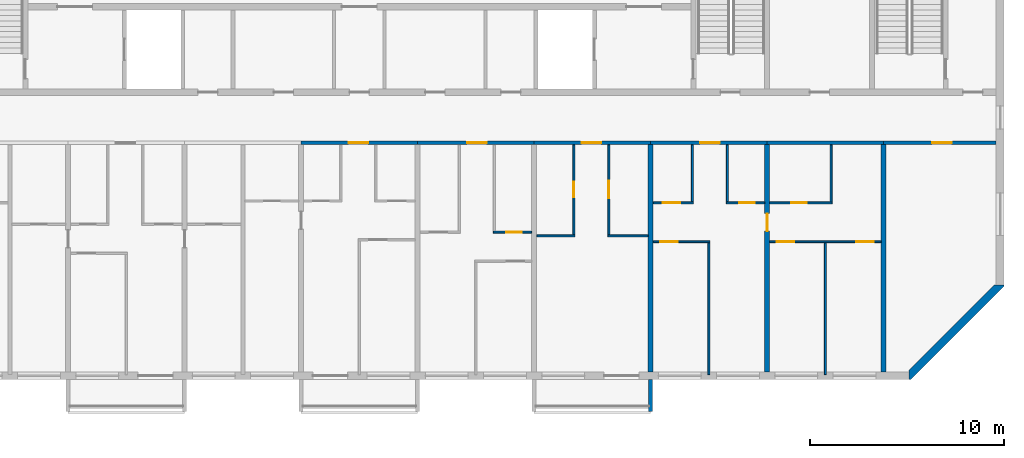
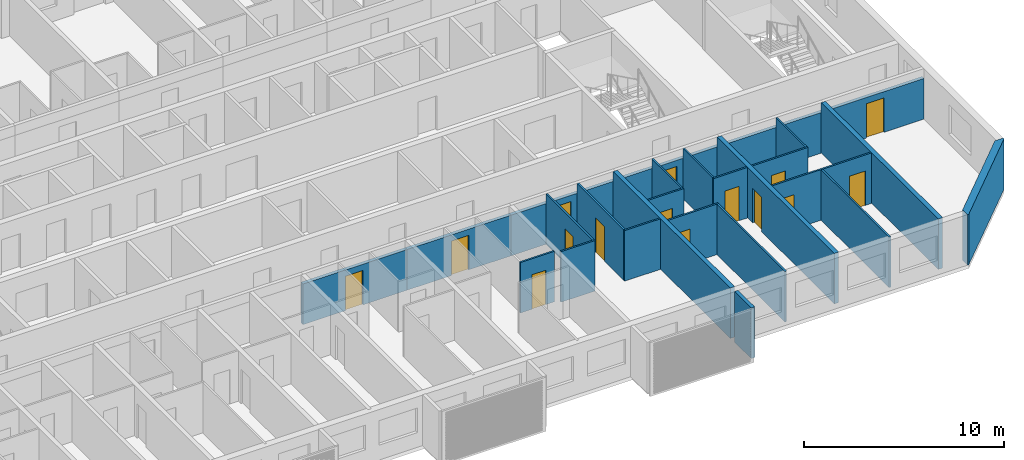
# One storey, part 5 of 29: 26 walls, 15 doors, 15 openings.
"""IFC4 building model written with IfcOpenShell, lengths in metres."""

from ifc_helpers import new_model, si_unit, direction, frame, frame_2d, origin, place, context, subcontext, project, spatial, polyline, rectangle, outline, extrude, source, transform, mapped, material, layer, layer_set, type_object, element, fill, save


model = new_model("IFC4")

# Units and contexts
model_context = context("Model", 3, precision=1e-05, world=origin(), true_north=direction((0.0, 1.0)))
body_context = subcontext(model_context, "Body", "Model", "MODEL_VIEW")
ifc_project = project(units=[si_unit("LENGTHUNIT", "METRE"), si_unit("AREAUNIT", "SQUARE_METRE"), si_unit("VOLUMEUNIT", "CUBIC_METRE"), si_unit("PLANEANGLEUNIT", "RADIAN"), si_unit("MASSUNIT", "GRAM", prefix="KILO")], contexts=[model_context])

# Site, building, storey
site_placement = place(None, origin())
site = spatial("IfcSite", under=ifc_project, at=site_placement, CompositionType="ELEMENT")
building_placement = place(site_placement, origin())
building = spatial("IfcBuilding", under=site, at=building_placement, Name="Poui Terraces", CompositionType="ELEMENT")
storey_placement = place(building_placement, frame((0.0, 0.0, 231.300048828125)))
storey = spatial("IfcBuildingStorey", under=building, at=storey_placement, Name="L64", CompositionType="ELEMENT", Elevation=231.300048828125)

# Wall, opening, door
ifc_material_1 = material(Name="Concrete 50 MPa", Category="concrete")
ifc_layer_1 = layer(ifc_material_1, 0.199951171875)
ifc_layer_set_1 = layer_set([ifc_layer_1], Name="Concrete 50 MPa")
wall_type_1 = type_object("IfcWallType", Name="CORRIDOR WALL 200 50MPa", PredefinedType="SHEAR", material=ifc_layer_set_1)
wall_1_placement = place(storey_placement, frame((48.0, 12.0, 0.0), z_axis=(0.0, 0.0, 1.0), x_axis=(1.0, 0.0, 0.0)))
wall_1 = element("IfcWall", 1, at=wall_1_placement, inside=storey, type_object=wall_type_1, Name="CORRIDOR WALL LINE B BAY 6", PredefinedType="SHEAR", context=body_context, shape_type="SweptSolid", body=[
    extrude(rectangle(XDim=6.0, YDim=0.199951171875, at=frame_2d((3.0, 0.0))), origin(), (0.0, 0.0, 1.0), 2.47998046875),
])
opening_1_placement = place(wall_1_placement, frame((2.449951171875, 0.0, 0.0)))
opening_1 = element("IfcOpeningElement", 2, at=opening_1_placement, cuts=wall_1, Name="Opening FD30S", PredefinedType="OPENING", context=body_context, shape_type="SweptSolid", body=[
    extrude(rectangle(XDim=1.0, YDim=2.10009765625, at=frame_2d((0.5, 1.050048828125))), frame((0.0, 0.10986328125, 0.0), z_axis=(0.0, -1.0, 0.0), x_axis=(1.0, 0.0, 0.0)), (0.0, 0.0, 1.0), 0.219970703125),
])
ifc_material_2 = material(Name="Steel fire door", Category="steel")
door_type_1 = type_object("IfcDoorType", Name="FLAT ENTRANCE DOOR 1000 X 2100", OperationType="NOTDEFINED", PredefinedType="DOOR", material=ifc_material_2)
door_1_placement = place(opening_1_placement, frame((1.0, 0.0, 0.0), z_axis=(0.0, 0.0, 1.0), x_axis=(-1.0, 0.0, 0.0)))
door_1 = element("IfcDoor", 3, at=door_1_placement, inside=storey, type_object=door_type_1, Name="FLAT ENTRANCE DOOR 081", OperationType="SINGLE_SWING_RIGHT", OverallHeight=2.10009765625, OverallWidth=1.0, PredefinedType="DOOR", context=body_context, shape_type="SweptSolid", body=[
    extrude(rectangle(XDim=1.0, YDim=2.10009765625, at=frame_2d((0.5, 1.050048828125))), frame((0.0, 0.02490234375, 0.0), z_axis=(0.0, -1.0, 0.0), x_axis=(1.0, 0.0, 0.0)), (0.0, 0.0, 1.0), 0.050048828125),
])
fill(opening_1, door_1)

wall_2_placement = place(storey_placement, frame((54.0, 12.0, 0.0), z_axis=(0.0, 0.0, 1.0), x_axis=(1.0, 0.0, 0.0)))
wall_2 = element("IfcWall", 4, at=wall_2_placement, inside=storey, type_object=wall_type_1, Name="CORRIDOR WALL LINE B BAY 7", PredefinedType="SHEAR", context=body_context, shape_type="SweptSolid", body=[
    extrude(rectangle(XDim=6.0, YDim=0.199951171875, at=frame_2d((3.0, 0.0))), origin(), (0.0, 0.0, 1.0), 2.47998046875),
])
opening_2_placement = place(wall_2_placement, frame((2.550048828125, 0.0, 0.0)))
opening_2 = element("IfcOpeningElement", 5, at=opening_2_placement, cuts=wall_2, Name="Opening FD30S", PredefinedType="OPENING", context=body_context, shape_type="SweptSolid", body=[
    extrude(rectangle(XDim=1.0, YDim=2.10009765625, at=frame_2d((0.5, 1.050048828125))), frame((0.0, 0.10986328125, 0.0), z_axis=(0.0, -1.0, 0.0), x_axis=(1.0, 0.0, 0.0)), (0.0, 0.0, 1.0), 0.219970703125),
])
door_2_placement = place(opening_2_placement, frame((1.0, 0.0, 0.0), z_axis=(0.0, 0.0, 1.0), x_axis=(-1.0, 0.0, 0.0)))
door_2 = element("IfcDoor", 6, at=door_2_placement, inside=storey, type_object=door_type_1, Name="FLAT ENTRANCE DOOR 085", OperationType="SINGLE_SWING_LEFT", OverallHeight=2.10009765625, OverallWidth=1.0, PredefinedType="DOOR", context=body_context, shape_type="SweptSolid", body=[
    extrude(rectangle(XDim=1.0, YDim=2.10009765625, at=frame_2d((0.5, 1.050048828125))), frame((0.0, 0.02490234375, 0.0), z_axis=(0.0, -1.0, 0.0), x_axis=(1.0, 0.0, 0.0)), (0.0, 0.0, 1.0), 0.050048828125),
])
fill(opening_2, door_2)

wall_3_placement = place(storey_placement, frame((60.0, 12.0, 0.0), z_axis=(0.0, 0.0, 1.0), x_axis=(1.0, 0.0, 0.0)))
wall_3 = element("IfcWall", 7, at=wall_3_placement, inside=storey, type_object=wall_type_1, Name="CORRIDOR WALL LINE B BAY 8", PredefinedType="SHEAR", context=body_context, shape_type="SweptSolid", body=[
    extrude(rectangle(XDim=6.0, YDim=0.199951171875, at=frame_2d((3.0, 0.0))), origin(), (0.0, 0.0, 1.0), 2.47998046875),
])
opening_3_placement = place(wall_3_placement, frame((2.449951171875, 0.0, 0.0)))
opening_3 = element("IfcOpeningElement", 8, at=opening_3_placement, cuts=wall_3, Name="Opening FD30S", PredefinedType="OPENING", context=body_context, shape_type="SweptSolid", body=[
    extrude(rectangle(XDim=1.0, YDim=2.10009765625, at=frame_2d((0.5, 1.050048828125))), frame((0.0, 0.10986328125, 0.0), z_axis=(0.0, -1.0, 0.0), x_axis=(1.0, 0.0, 0.0)), (0.0, 0.0, 1.0), 0.219970703125),
])
door_3_placement = place(opening_3_placement, frame((1.0, 0.0, 0.0), z_axis=(0.0, 0.0, 1.0), x_axis=(-1.0, 0.0, 0.0)))
door_3 = element("IfcDoor", 9, at=door_3_placement, inside=storey, type_object=door_type_1, Name="FLAT ENTRANCE DOOR 089", OperationType="SINGLE_SWING_RIGHT", OverallHeight=2.10009765625, OverallWidth=1.0, PredefinedType="DOOR", context=body_context, shape_type="SweptSolid", body=[
    extrude(rectangle(XDim=1.0, YDim=2.10009765625, at=frame_2d((0.5, 1.050048828125))), frame((0.0, 0.02490234375, 0.0), z_axis=(0.0, -1.0, 0.0), x_axis=(1.0, 0.0, 0.0)), (0.0, 0.0, 1.0), 0.050048828125),
])
fill(opening_3, door_3)

wall_4_placement = place(storey_placement, frame((66.0, 12.0, 0.0), z_axis=(0.0, 0.0, 1.0), x_axis=(1.0, 0.0, 0.0)))
wall_4 = element("IfcWall", 10, at=wall_4_placement, inside=storey, type_object=wall_type_1, Name="CORRIDOR WALL LINE B BAY 9", PredefinedType="SHEAR", context=body_context, shape_type="SweptSolid", body=[
    extrude(rectangle(XDim=6.0, YDim=0.199951171875, at=frame_2d((3.0, 0.0))), origin(), (0.0, 0.0, 1.0), 2.47998046875),
])
opening_4_placement = place(wall_4_placement, frame((2.550048828125, 0.0, 0.0)))
opening_4 = element("IfcOpeningElement", 11, at=opening_4_placement, cuts=wall_4, Name="Opening FD30S", PredefinedType="OPENING", context=body_context, shape_type="SweptSolid", body=[
    extrude(rectangle(XDim=1.0, YDim=2.10009765625, at=frame_2d((0.5, 1.050048828125))), frame((0.0, 0.10986328125, 0.0), z_axis=(0.0, -1.0, 0.0), x_axis=(1.0, 0.0, 0.0)), (0.0, 0.0, 1.0), 0.219970703125),
])
door_4_placement = place(opening_4_placement, frame((1.0, 0.0, 0.0), z_axis=(0.0, 0.0, 1.0), x_axis=(-1.0, 0.0, 0.0)))
door_4 = element("IfcDoor", 12, at=door_4_placement, inside=storey, type_object=door_type_1, Name="FLAT ENTRANCE DOOR 096", OperationType="SINGLE_SWING_LEFT", OverallHeight=2.10009765625, OverallWidth=1.0, PredefinedType="DOOR", context=body_context, shape_type="SweptSolid", body=[
    extrude(rectangle(XDim=1.0, YDim=2.10009765625, at=frame_2d((0.5, 1.050048828125))), frame((0.0, 0.02490234375, 0.0), z_axis=(0.0, -1.0, 0.0), x_axis=(1.0, 0.0, 0.0)), (0.0, 0.0, 1.0), 0.050048828125),
])
fill(opening_4, door_4)

# Wall
wall_5_placement = place(storey_placement, frame((72.0, 12.0, 0.0), z_axis=(0.0, 0.0, 1.0), x_axis=(1.0, 0.0, 0.0)))
element("IfcWall", 13, at=wall_5_placement, inside=storey, type_object=wall_type_1, Name="CORRIDOR WALL LINE B BAY 10", PredefinedType="SHEAR", context=body_context, shape_type="SweptSolid", body=[
    extrude(rectangle(XDim=6.0, YDim=0.199951171875, at=frame_2d((3.0, 0.0))), origin(), (0.0, 0.0, 1.0), 2.47998046875),
])

# Wall, opening, door
wall_6_placement = place(storey_placement, frame((78.0, 12.0, 0.0), z_axis=(0.0, 0.0, 1.0), x_axis=(1.0, 0.0, 0.0)))
wall_6 = element("IfcWall", 14, at=wall_6_placement, inside=storey, type_object=wall_type_1, Name="CORRIDOR WALL LINE B BAY 11", PredefinedType="SHEAR", context=body_context, shape_type="SweptSolid", body=[
    extrude(rectangle(XDim=5.800048828125, YDim=0.199951171875, at=frame_2d((2.89990234375, 0.0))), origin(), (0.0, 0.0, 1.0), 2.47998046875),
])
opening_5_placement = place(wall_6_placement, frame((2.5, 0.0, 0.0)))
opening_5 = element("IfcOpeningElement", 15, at=opening_5_placement, cuts=wall_6, Name="Opening D100", PredefinedType="OPENING", context=body_context, shape_type="SweptSolid", body=[
    extrude(rectangle(XDim=1.0, YDim=2.10009765625, at=frame_2d((0.5, 1.050048828125))), frame((0.0, 0.10986328125, 0.0), z_axis=(0.0, -1.0, 0.0), x_axis=(1.0, 0.0, 0.0)), (0.0, 0.0, 1.0), 0.219970703125),
])
ifc_material_3 = material(Name="Solid core timber door", Category="wood")
door_type_2 = type_object("IfcDoorType", Name="ACCESSIBLE INTERNAL DOOR 1000 X 2100", OperationType="NOTDEFINED", PredefinedType="DOOR", material=ifc_material_3)
door_5_placement = place(opening_5_placement, frame((1.0, 0.0, 0.0), z_axis=(0.0, 0.0, 1.0), x_axis=(-1.0, 0.0, 0.0)))
door_5 = element("IfcDoor", 16, at=door_5_placement, inside=storey, type_object=door_type_2, Name="ACCESSIBLE INTERNAL DOOR 099", OperationType="SINGLE_SWING_RIGHT", OverallHeight=2.10009765625, OverallWidth=1.0, PredefinedType="DOOR", context=body_context, shape_type="SweptSolid", body=[
    extrude(rectangle(XDim=1.0, YDim=2.10009765625, at=frame_2d((0.5, 1.050048828125))), frame((0.0, 0.02490234375, 0.0), z_axis=(0.0, -1.0, 0.0), x_axis=(1.0, 0.0, 0.0)), (0.0, 0.0, 1.0), 0.050048828125),
])
fill(opening_5, door_5)

# Wall
ifc_layer_2 = layer(ifc_material_1, 0.25)
ifc_layer_set_2 = layer_set([ifc_layer_2], Name="Concrete 50 MPa")
wall_type_2 = type_object("IfcWallType", Name="CROSS WALL 250 50MPa", PredefinedType="SHEAR", material=ifc_layer_set_2)
wall_7_placement = place(storey_placement, frame((66.0, 0.199951171875, 0.0), z_axis=(0.0, 0.0, 1.0), x_axis=(0.0, 1.0, 0.0)))
element("IfcWall", 17, at=wall_7_placement, inside=storey, type_object=wall_type_2, Name="CROSS WALL LINE 12 SOUTH", PredefinedType="SHEAR", context=body_context, shape_type="SweptSolid", body=[
    extrude(rectangle(XDim=11.699951171875, YDim=0.25, at=frame_2d((5.85009765625, 0.0))), origin(), (0.0, 0.0, 1.0), 3.079833984375),
])

# Wall, opening, door
wall_8_placement = place(storey_placement, frame((72.0, 0.199951171875, 0.0), z_axis=(0.0, 0.0, 1.0), x_axis=(0.0, 1.0, 0.0)))
wall_8 = element("IfcWall", 18, at=wall_8_placement, inside=storey, type_object=wall_type_2, Name="CROSS WALL LINE 13 SOUTH", PredefinedType="SHEAR", context=body_context, shape_type="SweptSolid", body=[
    extrude(rectangle(XDim=11.699951171875, YDim=0.25, at=frame_2d((5.85009765625, 0.0))), origin(), (0.0, 0.0, 1.0), 3.079833984375),
])
opening_6_placement = place(wall_8_placement, frame((7.25, 0.0, 0.0)))
opening_6 = element("IfcOpeningElement", 19, at=opening_6_placement, cuts=wall_8, Name="Opening D90", PredefinedType="OPENING", context=body_context, shape_type="SweptSolid", body=[
    extrude(rectangle(XDim=0.89990234375, YDim=2.10009765625, at=frame_2d((0.449951171875, 1.050048828125))), frame((0.0, 0.135009765625, 0.0), z_axis=(0.0, -1.0, 0.0), x_axis=(1.0, 0.0, 0.0)), (0.0, 0.0, 1.0), 0.27001953125),
])
door_type_3 = type_object("IfcDoorType", Name="INTERNAL DOOR 900 X 2100", OperationType="NOTDEFINED", PredefinedType="DOOR", material=ifc_material_3)
door_6_placement = place(opening_6_placement, origin())
door_6 = element("IfcDoor", 20, at=door_6_placement, inside=storey, type_object=door_type_3, Name="INTERNAL DOOR 098", OperationType="SINGLE_SWING_RIGHT", OverallHeight=2.10009765625, OverallWidth=0.89990234375, PredefinedType="DOOR", context=body_context, shape_type="SweptSolid", body=[
    extrude(rectangle(XDim=0.89990234375, YDim=2.10009765625, at=frame_2d((0.449951171875, 1.050048828125))), frame((0.0, 0.02490234375, 0.0), z_axis=(0.0, -1.0, 0.0), x_axis=(1.0, 0.0, 0.0)), (0.0, 0.0, 1.0), 0.050048828125),
])
fill(opening_6, door_6)

# Wall
wall_9_placement = place(storey_placement, frame((78.0, 0.199951171875, 0.0), z_axis=(0.0, 0.0, 1.0), x_axis=(0.0, 1.0, 0.0)))
element("IfcWall", 21, at=wall_9_placement, inside=storey, type_object=wall_type_2, Name="CROSS WALL LINE 14 SOUTH", PredefinedType="SHEAR", context=body_context, shape_type="SweptSolid", body=[
    extrude(rectangle(XDim=11.699951171875, YDim=0.25, at=frame_2d((5.85009765625, 0.0))), origin(), (0.0, 0.0, 1.0), 3.079833984375),
])

# Wall, opening, door
ifc_material_4 = material(Name="Plasterboard partition")
ifc_layer_3 = layer(ifc_material_4, 0.10009765625)
ifc_layer_set_3 = layer_set([ifc_layer_3], Name="Plasterboard partition")
wall_type_3 = type_object("IfcWallType", Name="FLAT PARTITION 100", PredefinedType="PARTITIONING", material=ifc_layer_set_3)
wall_10_placement = place(storey_placement, frame((66.135009765625, 6.89990234375, 0.0), z_axis=(0.0, 0.0, 1.0), x_axis=(1.0, 0.0, 0.0)))
wall_10 = element("IfcWall", 22, at=wall_10_placement, inside=storey, type_object=wall_type_3, Name="FLAT PARTITION 100", PredefinedType="PARTITIONING", context=body_context, shape_type="SweptSolid", body=[
    extrude(rectangle(XDim=2.9150390625, YDim=0.10009765625, at=frame_2d((1.45751953125, 0.0))), origin(), (0.0, 0.0, 1.0), 3.079833984375),
])
opening_7_placement = place(wall_10_placement, frame((0.364990234375, 0.0, 0.0)))
opening_7 = element("IfcOpeningElement", 23, at=opening_7_placement, cuts=wall_10, Name="Opening D90", PredefinedType="OPENING", context=body_context, shape_type="SweptSolid", body=[
    extrude(rectangle(XDim=0.89990234375, YDim=2.10009765625, at=frame_2d((0.449951171875, 1.050048828125))), frame((0.0, 0.06005859375, 0.0), z_axis=(0.0, -1.0, 0.0), x_axis=(1.0, 0.0, 0.0)), (0.0, 0.0, 1.0), 0.1201171875),
])
door_7_placement = place(opening_7_placement, origin())
door_7 = element("IfcDoor", 24, at=door_7_placement, inside=storey, type_object=door_type_3, Name="INTERNAL DOOR 094", OperationType="SINGLE_SWING_RIGHT", OverallHeight=2.10009765625, OverallWidth=0.89990234375, PredefinedType="DOOR", context=body_context, shape_type="SweptSolid", body=[
    extrude(rectangle(XDim=0.89990234375, YDim=2.10009765625, at=frame_2d((0.449951171875, 1.050048828125))), frame((0.0, 0.02490234375, 0.0), z_axis=(0.0, -1.0, 0.0), x_axis=(1.0, 0.0, 0.0)), (0.0, 0.0, 1.0), 0.050048828125),
])
fill(opening_7, door_7)

# Wall, openings, doors
wall_11_placement = place(storey_placement, frame((72.135009765625, 6.89990234375, 0.0), z_axis=(0.0, 0.0, 1.0), x_axis=(1.0, 0.0, 0.0)))
wall_11 = element("IfcWall", 25, at=wall_11_placement, inside=storey, type_object=wall_type_3, Name="FLAT PARTITION 100", PredefinedType="PARTITIONING", context=body_context, shape_type="SweptSolid", body=[
    extrude(rectangle(XDim=5.72998046875, YDim=0.10009765625, at=frame_2d((2.864990234375, 0.0))), origin(), (0.0, 0.0, 1.0), 3.079833984375),
])
opening_8_placement = place(wall_11_placement, frame((0.364990234375, 0.0, 0.0)))
opening_8 = element("IfcOpeningElement", 26, at=opening_8_placement, cuts=wall_11, Name="Opening D90", PredefinedType="OPENING", context=body_context, shape_type="SweptSolid", body=[
    extrude(rectangle(XDim=0.89990234375, YDim=2.10009765625, at=frame_2d((0.449951171875, 1.050048828125))), frame((0.0, 0.06005859375, 0.0), z_axis=(0.0, -1.0, 0.0), x_axis=(1.0, 0.0, 0.0)), (0.0, 0.0, 1.0), 0.1201171875),
])
opening_9_placement = place(wall_11_placement, frame((4.465087890625, 0.0, 0.0)))
opening_9 = element("IfcOpeningElement", 27, at=opening_9_placement, cuts=wall_11, Name="Opening D90", PredefinedType="OPENING", context=body_context, shape_type="SweptSolid", body=[
    extrude(rectangle(XDim=0.89990234375, YDim=2.10009765625, at=frame_2d((0.449951171875, 1.050048828125))), frame((0.0, 0.06005859375, 0.0), z_axis=(0.0, -1.0, 0.0), x_axis=(1.0, 0.0, 0.0)), (0.0, 0.0, 1.0), 0.1201171875),
])
door_8_placement = place(opening_8_placement, frame((0.89990234375, 0.0, 0.0), z_axis=(0.0, 0.0, 1.0), x_axis=(-1.0, 0.0, 0.0)))
door_8 = element("IfcDoor", 28, at=door_8_placement, inside=storey, type_object=door_type_3, Name="INTERNAL DOOR 091", OperationType="SINGLE_SWING_RIGHT", OverallHeight=2.10009765625, OverallWidth=0.89990234375, PredefinedType="DOOR", context=body_context, shape_type="SweptSolid", body=[
    extrude(rectangle(XDim=0.89990234375, YDim=2.10009765625, at=frame_2d((0.449951171875, 1.050048828125))), frame((0.0, 0.02490234375, 0.0), z_axis=(0.0, -1.0, 0.0), x_axis=(1.0, 0.0, 0.0)), (0.0, 0.0, 1.0), 0.050048828125),
])
fill(opening_8, door_8)
door_9_placement = place(opening_9_placement, frame((0.89990234375, 0.0, 0.0), z_axis=(0.0, 0.0, 1.0), x_axis=(-1.0, 0.0, 0.0)))
door_9 = element("IfcDoor", 29, at=door_9_placement, inside=storey, type_object=door_type_3, Name="INTERNAL DOOR 093", OperationType="SINGLE_SWING_LEFT", OverallHeight=2.10009765625, OverallWidth=0.89990234375, PredefinedType="DOOR", context=body_context, shape_type="SweptSolid", body=[
    extrude(rectangle(XDim=0.89990234375, YDim=2.10009765625, at=frame_2d((0.449951171875, 1.050048828125))), frame((0.0, 0.02490234375, 0.0), z_axis=(0.0, -1.0, 0.0), x_axis=(1.0, 0.0, 0.0)), (0.0, 0.0, 1.0), 0.050048828125),
])
fill(opening_9, door_9)

# Walls
wall_12_placement = place(storey_placement, frame((60.135009765625, 7.199951171875, 0.0), z_axis=(0.0, 0.0, 1.0), x_axis=(1.0, 0.0, 0.0)))
element("IfcWall", 30, at=wall_12_placement, inside=storey, type_object=wall_type_3, Name="FLAT PARTITION 100", PredefinedType="PARTITIONING", context=body_context, shape_type="SweptSolid", body=[
    extrude(rectangle(XDim=1.965087890625, YDim=0.10009765625, at=frame_2d((0.982421875, 0.0))), origin(), (0.0, 0.0, 1.0), 3.079833984375),
])
wall_13_placement = place(storey_placement, frame((63.800048828125, 7.199951171875, 0.0), z_axis=(0.0, 0.0, 1.0), x_axis=(1.0, 0.0, 0.0)))
element("IfcWall", 31, at=wall_13_placement, inside=storey, type_object=wall_type_3, Name="FLAT PARTITION 100", PredefinedType="PARTITIONING", context=body_context, shape_type="SweptSolid", body=[
    extrude(rectangle(XDim=2.06494140625, YDim=0.10009765625, at=frame_2d((1.032470703125, 0.0))), origin(), (0.0, 0.0, 1.0), 3.079833984375),
])

# Wall, opening, door
wall_14_placement = place(storey_placement, frame((57.89990234375, 7.39990234375, 0.0), z_axis=(0.0, 0.0, 1.0), x_axis=(1.0, 0.0, 0.0)))
wall_14 = element("IfcWall", 32, at=wall_14_placement, inside=storey, type_object=wall_type_3, Name="FLAT PARTITION 100", PredefinedType="PARTITIONING", context=body_context, shape_type="SweptSolid", body=[
    extrude(rectangle(XDim=1.965087890625, YDim=0.10009765625, at=frame_2d((0.982421875, 0.0))), origin(), (0.0, 0.0, 1.0), 3.079833984375),
])
opening_10_placement = place(wall_14_placement, frame((0.675048828125, 0.0, 0.0)))
opening_10 = element("IfcOpeningElement", 33, at=opening_10_placement, cuts=wall_14, Name="Opening D80", PredefinedType="OPENING", context=body_context, shape_type="SweptSolid", body=[
    extrude(rectangle(XDim=0.800048828125, YDim=2.10009765625, at=frame_2d((0.39990234375, 1.050048828125))), frame((0.0, 0.06005859375, 0.0), z_axis=(0.0, -1.0, 0.0), x_axis=(1.0, 0.0, 0.0)), (0.0, 0.0, 1.0), 0.1201171875),
])
door_type_4 = type_object("IfcDoorType", Name="BATHROOM, LAUNDRY AND STORE DOOR 800 X 2100", OperationType="NOTDEFINED", PredefinedType="DOOR", material=ifc_material_3)
door_10_placement = place(opening_10_placement, origin())
door_10 = element("IfcDoor", 34, at=door_10_placement, inside=storey, type_object=door_type_4, Name="BATHROOM, LAUNDRY AND STORE DOOR 086", OperationType="SINGLE_SWING_RIGHT", OverallHeight=2.10009765625, OverallWidth=0.800048828125, PredefinedType="DOOR", context=body_context, shape_type="SweptSolid", body=[
    extrude(rectangle(XDim=0.800048828125, YDim=2.10009765625, at=frame_2d((0.39990234375, 1.050048828125))), frame((0.0, 0.02490234375, 0.0), z_axis=(0.0, -1.0, 0.0), x_axis=(1.0, 0.0, 0.0)), (0.0, 0.0, 1.0), 0.050048828125),
])
fill(opening_10, door_10)

wall_15_placement = place(storey_placement, frame((66.135009765625, 8.89990234375, 0.0), z_axis=(0.0, 0.0, 1.0), x_axis=(1.0, 0.0, 0.0)))
wall_15 = element("IfcWall", 35, at=wall_15_placement, inside=storey, type_object=wall_type_3, Name="FLAT PARTITION 100", PredefinedType="PARTITIONING", context=body_context, shape_type="SweptSolid", body=[
    extrude(rectangle(XDim=2.06494140625, YDim=0.10009765625, at=frame_2d((1.032470703125, 0.0))), origin(), (0.0, 0.0, 1.0), 3.079833984375),
])
opening_11_placement = place(wall_15_placement, frame((0.489990234375, 0.0, 0.0)))
opening_11 = element("IfcOpeningElement", 36, at=opening_11_placement, cuts=wall_15, Name="Opening D90", PredefinedType="OPENING", context=body_context, shape_type="SweptSolid", body=[
    extrude(rectangle(XDim=0.89990234375, YDim=2.10009765625, at=frame_2d((0.449951171875, 1.050048828125))), frame((0.0, 0.06005859375, 0.0), z_axis=(0.0, -1.0, 0.0), x_axis=(1.0, 0.0, 0.0)), (0.0, 0.0, 1.0), 0.1201171875),
])
door_11_placement = place(opening_11_placement, origin())
door_11 = element("IfcDoor", 37, at=door_11_placement, inside=storey, type_object=door_type_3, Name="INTERNAL DOOR 095", OperationType="SINGLE_SWING_LEFT", OverallHeight=2.10009765625, OverallWidth=0.89990234375, PredefinedType="DOOR", context=body_context, shape_type="SweptSolid", body=[
    extrude(rectangle(XDim=0.89990234375, YDim=2.10009765625, at=frame_2d((0.449951171875, 1.050048828125))), frame((0.0, 0.02490234375, 0.0), z_axis=(0.0, -1.0, 0.0), x_axis=(1.0, 0.0, 0.0)), (0.0, 0.0, 1.0), 0.050048828125),
])
fill(opening_11, door_11)

wall_16_placement = place(storey_placement, frame((69.89990234375, 8.89990234375, 0.0), z_axis=(0.0, 0.0, 1.0), x_axis=(1.0, 0.0, 0.0)))
wall_16 = element("IfcWall", 38, at=wall_16_placement, inside=storey, type_object=wall_type_3, Name="FLAT PARTITION 100", PredefinedType="PARTITIONING", context=body_context, shape_type="SweptSolid", body=[
    extrude(rectangle(XDim=1.965087890625, YDim=0.10009765625, at=frame_2d((0.982421875, 0.0))), origin(), (0.0, 0.0, 1.0), 3.079833984375),
])
opening_12_placement = place(wall_16_placement, frame((0.675048828125, 0.0, 0.0)))
opening_12 = element("IfcOpeningElement", 39, at=opening_12_placement, cuts=wall_16, Name="Opening D80", PredefinedType="OPENING", context=body_context, shape_type="SweptSolid", body=[
    extrude(rectangle(XDim=0.800048828125, YDim=2.10009765625, at=frame_2d((0.39990234375, 1.050048828125))), frame((0.0, 0.06005859375, 0.0), z_axis=(0.0, -1.0, 0.0), x_axis=(1.0, 0.0, 0.0)), (0.0, 0.0, 1.0), 0.1201171875),
])
door_12_placement = place(opening_12_placement, origin())
door_12 = element("IfcDoor", 40, at=door_12_placement, inside=storey, type_object=door_type_4, Name="BATHROOM, LAUNDRY AND STORE DOOR 097", OperationType="SINGLE_SWING_RIGHT", OverallHeight=2.10009765625, OverallWidth=0.800048828125, PredefinedType="DOOR", context=body_context, shape_type="SweptSolid", body=[
    extrude(rectangle(XDim=0.800048828125, YDim=2.10009765625, at=frame_2d((0.39990234375, 1.050048828125))), frame((0.0, 0.02490234375, 0.0), z_axis=(0.0, -1.0, 0.0), x_axis=(1.0, 0.0, 0.0)), (0.0, 0.0, 1.0), 0.050048828125),
])
fill(opening_12, door_12)

wall_17_placement = place(storey_placement, frame((72.135009765625, 8.89990234375, 0.0), z_axis=(0.0, 0.0, 1.0), x_axis=(1.0, 0.0, 0.0)))
wall_17 = element("IfcWall", 41, at=wall_17_placement, inside=storey, type_object=wall_type_3, Name="FLAT PARTITION 100", PredefinedType="PARTITIONING", context=body_context, shape_type="SweptSolid", body=[
    extrude(rectangle(XDim=3.215087890625, YDim=0.10009765625, at=frame_2d((1.607421875, 0.0))), origin(), (0.0, 0.0, 1.0), 3.079833984375),
])
opening_13_placement = place(wall_17_placement, frame((1.114990234375, 0.0, 0.0)))
opening_13 = element("IfcOpeningElement", 42, at=opening_13_placement, cuts=wall_17, Name="Opening D80", PredefinedType="OPENING", context=body_context, shape_type="SweptSolid", body=[
    extrude(rectangle(XDim=0.800048828125, YDim=2.10009765625, at=frame_2d((0.39990234375, 1.050048828125))), frame((0.0, 0.06005859375, 0.0), z_axis=(0.0, -1.0, 0.0), x_axis=(1.0, 0.0, 0.0)), (0.0, 0.0, 1.0), 0.1201171875),
])
door_13_placement = place(opening_13_placement, frame((0.800048828125, 0.0, 0.0), z_axis=(0.0, 0.0, 1.0), x_axis=(-1.0, 0.0, 0.0)))
door_13 = element("IfcDoor", 43, at=door_13_placement, inside=storey, type_object=door_type_4, Name="BATHROOM, LAUNDRY AND STORE DOOR 092", OperationType="SINGLE_SWING_LEFT", OverallHeight=2.10009765625, OverallWidth=0.800048828125, PredefinedType="DOOR", context=body_context, shape_type="SweptSolid", body=[
    extrude(rectangle(XDim=0.800048828125, YDim=2.10009765625, at=frame_2d((0.39990234375, 1.050048828125))), frame((0.0, 0.02490234375, 0.0), z_axis=(0.0, -1.0, 0.0), x_axis=(1.0, 0.0, 0.0)), (0.0, 0.0, 1.0), 0.050048828125),
])
fill(opening_13, door_13)

wall_18_placement = place(storey_placement, frame((62.050048828125, 7.25, 0.0), z_axis=(0.0, 0.0, 1.0), x_axis=(0.0, 1.0, 0.0)))
wall_18 = element("IfcWall", 44, at=wall_18_placement, inside=storey, type_object=wall_type_3, Name="FLAT PARTITION 100", PredefinedType="PARTITIONING", context=body_context, shape_type="SweptSolid", body=[
    extrude(rectangle(XDim=4.639892578125, YDim=0.10009765625, at=frame_2d((2.31982421875, 0.0))), origin(), (0.0, 0.0, 1.0), 3.079833984375),
])
opening_14_placement = place(wall_18_placement, frame((1.949951171875, 0.0, 0.0)))
opening_14 = element("IfcOpeningElement", 45, at=opening_14_placement, cuts=wall_18, Name="Opening D80", PredefinedType="OPENING", context=body_context, shape_type="SweptSolid", body=[
    extrude(rectangle(XDim=0.800048828125, YDim=2.10009765625, at=frame_2d((0.39990234375, 1.050048828125))), frame((0.0, 0.06005859375, 0.0), z_axis=(0.0, -1.0, 0.0), x_axis=(1.0, 0.0, 0.0)), (0.0, 0.0, 1.0), 0.1201171875),
])
door_14_placement = place(opening_14_placement, origin())
door_14 = element("IfcDoor", 46, at=door_14_placement, inside=storey, type_object=door_type_4, Name="BATHROOM, LAUNDRY AND STORE DOOR 088", OperationType="SINGLE_SWING_LEFT", OverallHeight=2.10009765625, OverallWidth=0.800048828125, PredefinedType="DOOR", context=body_context, shape_type="SweptSolid", body=[
    extrude(rectangle(XDim=0.800048828125, YDim=2.10009765625, at=frame_2d((0.39990234375, 1.050048828125))), frame((0.0, 0.02490234375, 0.0), z_axis=(0.0, -1.0, 0.0), x_axis=(1.0, 0.0, 0.0)), (0.0, 0.0, 1.0), 0.050048828125),
])
fill(opening_14, door_14)

wall_19_placement = place(storey_placement, frame((63.85009765625, 7.25, 0.0), z_axis=(0.0, 0.0, 1.0), x_axis=(0.0, 1.0, 0.0)))
wall_19 = element("IfcWall", 47, at=wall_19_placement, inside=storey, type_object=wall_type_3, Name="FLAT PARTITION 100", PredefinedType="PARTITIONING", context=body_context, shape_type="SweptSolid", body=[
    extrude(rectangle(XDim=4.639892578125, YDim=0.10009765625, at=frame_2d((2.31982421875, 0.0))), origin(), (0.0, 0.0, 1.0), 3.079833984375),
])
opening_15_placement = place(wall_19_placement, frame((1.89990234375, 0.0, 0.0)))
opening_15 = element("IfcOpeningElement", 48, at=opening_15_placement, cuts=wall_19, Name="Opening D90", PredefinedType="OPENING", context=body_context, shape_type="SweptSolid", body=[
    extrude(rectangle(XDim=0.89990234375, YDim=2.10009765625, at=frame_2d((0.449951171875, 1.050048828125))), frame((0.0, 0.06005859375, 0.0), z_axis=(0.0, -1.0, 0.0), x_axis=(1.0, 0.0, 0.0)), (0.0, 0.0, 1.0), 0.1201171875),
])
door_15_placement = place(opening_15_placement, frame((0.89990234375, 0.0, 0.0), z_axis=(0.0, 0.0, 1.0), x_axis=(-1.0, 0.0, 0.0)))
door_15 = element("IfcDoor", 49, at=door_15_placement, inside=storey, type_object=door_type_3, Name="INTERNAL DOOR 090", OperationType="SINGLE_SWING_LEFT", OverallHeight=2.10009765625, OverallWidth=0.89990234375, PredefinedType="DOOR", context=body_context, shape_type="SweptSolid", body=[
    extrude(rectangle(XDim=0.89990234375, YDim=2.10009765625, at=frame_2d((0.449951171875, 1.050048828125))), frame((0.0, 0.02490234375, 0.0), z_axis=(0.0, -1.0, 0.0), x_axis=(1.0, 0.0, 0.0)), (0.0, 0.0, 1.0), 0.050048828125),
])
fill(opening_15, door_15)

# Walls
wall_20_placement = place(storey_placement, frame((68.14990234375, 8.949951171875, 0.0), z_axis=(0.0, 0.0, 1.0), x_axis=(0.0, 1.0, 0.0)))
element("IfcWall", 50, at=wall_20_placement, inside=storey, type_object=wall_type_3, Name="FLAT PARTITION 100", PredefinedType="PARTITIONING", context=body_context, shape_type="SweptSolid", body=[
    extrude(rectangle(XDim=2.93994140625, YDim=0.10009765625, at=frame_2d((1.469970703125, 0.0))), origin(), (0.0, 0.0, 1.0), 3.079833984375),
])
wall_21_placement = place(storey_placement, frame((69.0, 0.06005859375, 0.0), z_axis=(0.0, 0.0, 1.0), x_axis=(0.0, 1.0, 0.0)))
element("IfcWall", 51, at=wall_21_placement, inside=storey, type_object=wall_type_3, Name="FLAT PARTITION 100", PredefinedType="PARTITIONING", context=body_context, shape_type="SweptSolid", body=[
    extrude(rectangle(XDim=6.7900390625, YDim=0.10009765625, at=frame_2d((3.39501953125, 0.0))), origin(), (0.0, 0.0, 1.0), 3.079833984375),
])
wall_22_placement = place(storey_placement, frame((69.949951171875, 8.949951171875, 0.0), z_axis=(0.0, 0.0, 1.0), x_axis=(0.0, 1.0, 0.0)))
element("IfcWall", 52, at=wall_22_placement, inside=storey, type_object=wall_type_3, Name="FLAT PARTITION 100", PredefinedType="PARTITIONING", context=body_context, shape_type="SweptSolid", body=[
    extrude(rectangle(XDim=2.93994140625, YDim=0.10009765625, at=frame_2d((1.469970703125, 0.0))), origin(), (0.0, 0.0, 1.0), 3.079833984375),
])
wall_23_placement = place(storey_placement, frame((75.0, 0.06005859375, 0.0), z_axis=(0.0, 0.0, 1.0), x_axis=(0.0, 1.0, 0.0)))
element("IfcWall", 53, at=wall_23_placement, inside=storey, type_object=wall_type_3, Name="FLAT PARTITION 100", PredefinedType="PARTITIONING", context=body_context, shape_type="SweptSolid", body=[
    extrude(rectangle(XDim=6.7900390625, YDim=0.10009765625, at=frame_2d((3.39501953125, 0.0))), origin(), (0.0, 0.0, 1.0), 3.079833984375),
])
wall_24_placement = place(storey_placement, frame((75.300048828125, 8.949951171875, 0.0), z_axis=(0.0, 0.0, 1.0), x_axis=(0.0, 1.0, 0.0)))
element("IfcWall", 54, at=wall_24_placement, inside=storey, type_object=wall_type_3, Name="FLAT PARTITION 100", PredefinedType="PARTITIONING", context=body_context, shape_type="SweptSolid", body=[
    extrude(rectangle(XDim=2.93994140625, YDim=0.10009765625, at=frame_2d((1.469970703125, 0.0))), origin(), (0.0, 0.0, 1.0), 3.079833984375),
])
ifc_material_5 = material(Name="Precast concrete 40 MPa", Category="concrete")
ifc_layer_4 = layer(ifc_material_5, 0.39990234375)
ifc_layer_set_4 = layer_set([ifc_layer_4], Name="Precast concrete 40 MPa")
wall_type_4 = type_object("IfcWallType", Name="TERRACOTTA CLAD CHAMFER WALL 400", PredefinedType="STANDARD", material=ifc_layer_set_4)
wall_25_placement = place(storey_placement, origin())
element("IfcWall", 55, at=wall_25_placement, inside=storey, type_object=wall_type_4, Name="CHAMFER WALL CH01", PredefinedType="STANDARD", context=body_context, shape_type="SweptSolid", body=[
    extrude(outline(polyline([(79.317138671875, -0.199951171875), (79.39990234375, -0.199951171875), (84.199951171875, 4.60009765625), (84.199951171875, 4.682861328125), (83.71728515625, 4.682861328125), (79.317138671875, 0.28271484375), (79.317138671875, -0.199951171875)])), origin(), (0.0, 0.0, 1.0), 3.079833984375),
])
ifc_layer_5 = layer(ifc_material_5, 0.199951171875)
ifc_layer_set_5 = layer_set([ifc_layer_5], Name="Precast concrete 40 MPa")
wall_type_5 = type_object("IfcWallType", Name="REAR FIN 200", PredefinedType="STANDARD", material=ifc_layer_set_5)
shared_shape = source(origin(), body_context, "Body", "SweptSolid", [
    extrude(outline(polyline([(0.0, 0.0), (0.2001953125, 0.0), (0.2001953125, 1.650146484375), (0.0, 1.650146484375), (0.0, 0.0)])), origin(), (0.0, 0.0, 1.0), 3.099853515625),
])
wall_26_placement = place(storey_placement, frame((65.89990234375, -1.85009765625, 0.0)))
element("IfcWall", 56, at=wall_26_placement, inside=storey, type_object=wall_type_5, Name="REAR FIN", PredefinedType="STANDARD", context=body_context, shape_type="MappedRepresentation", body=[
    mapped(shared_shape, transform((0.0, 0.0, 0.0))),
])

save(model, "model.ifc")
